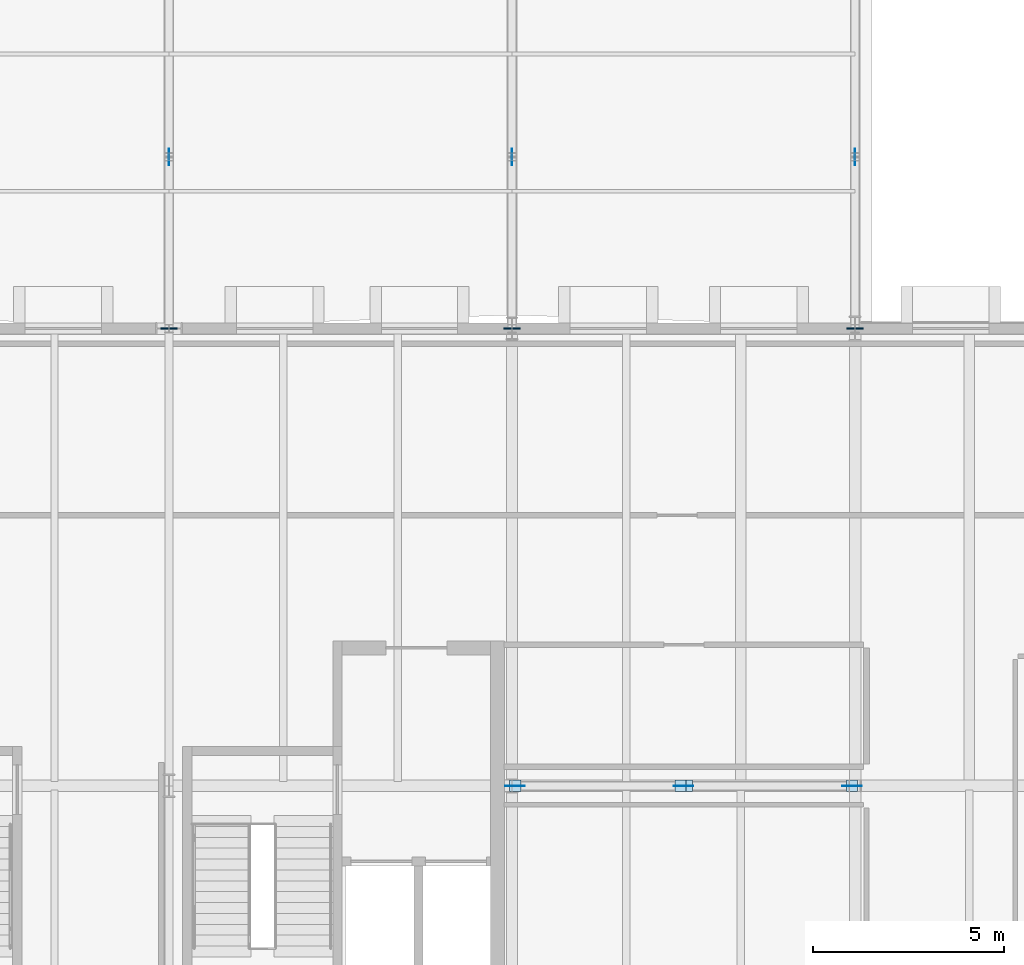
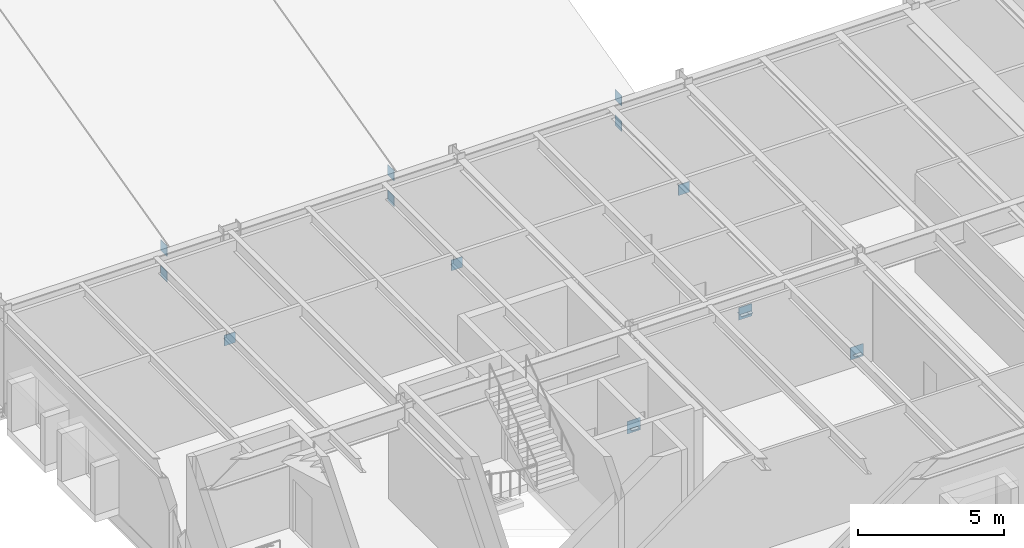
# One storey, part 47 of 67: 16 plates.
"""IFC4 building model written with IfcOpenShell, lengths in metres."""

from ifc_helpers import new_model, si_unit, direction, frame, origin, origin_2d, place, context, subcontext, project, spatial, rectangle, extrude, material, layer, layer_set, type_object, element, save


model = new_model("IFC4")

# Units and contexts
model_context = context("Model", 3, precision=1e-05, world=origin(), true_north=direction((0.0, 1.0)))
body_context = subcontext(model_context, "Body", "Model", "MODEL_VIEW")
ifc_project = project(units=[si_unit("LENGTHUNIT", "METRE"), si_unit("AREAUNIT", "SQUARE_METRE"), si_unit("VOLUMEUNIT", "CUBIC_METRE"), si_unit("PLANEANGLEUNIT", "RADIAN"), si_unit("MASSUNIT", "GRAM", prefix="KILO")], contexts=[model_context])

# Site, building, storey
site_placement = place(None, origin())
site = spatial("IfcSite", under=ifc_project, at=site_placement, CompositionType="ELEMENT")
building_placement = place(site_placement, origin())
building = spatial("IfcBuilding", under=site, at=building_placement, Name="Montelvaro Courts of Justice", CompositionType="ELEMENT")
storey_placement = place(building_placement, frame((0.0, 0.0, 18.89990234375)))
storey = spatial("IfcBuildingStorey", under=building, at=storey_placement, Name="L04", CompositionType="ELEMENT", Elevation=18.89990234375)

# Plates
ifc_material = material(Name="Steel S355", Category="steel")
ifc_layer_1 = layer(ifc_material, 0.011962890625)
ifc_layer_set_1 = layer_set([ifc_layer_1], Name="Steel S355")
plate_type_1 = type_object("IfcPlateType", Name="EndCapPlate_12", PredefinedType="USERDEFINED", material=ifc_layer_set_1)
for number, where, z_axis, x_axis, name in (
    (1, (63.080078125, 12.0, 0.07421875), (0.0, 0.0, 1.0), (1.0, 0.0, 0.0), "Brace End Cap Plate CP-01 CBF1-L04-1A"),
    (2, (67.419921875, 12.0, 3.333984375), (0.0, 0.0, 1.0), (1.0, 0.0, 0.0), "Brace End Cap Plate CP-01 CBF1-L04-1B"),
    (3, (71.919921875, 12.0, 0.07421875), (0.0, 0.0, 1.0), (1.0, 0.0, 0.0), "Brace End Cap Plate CP-01 CBF1-L04-2A"),
    (4, (67.580078125, 12.0, 3.333984375), (0.0, 0.0, 1.0), (1.0, 0.0, 0.0), "Brace End Cap Plate CP-01 CBF1-L04-2B"),
):
    element("IfcPlate", number, at=place(storey_placement, frame(where, z_axis=z_axis, x_axis=x_axis)), inside=storey, type_object=plate_type_1, Name=name, ObjectType="GUSSET PLATE", PredefinedType="USERDEFINED", context=body_context, shape_type="SweptSolid", body=[
        extrude(rectangle(XDim=0.300048828125, YDim=0.300048828125, at=origin_2d()), origin(), (0.0, 0.0, 1.0), 0.011962890625),
    ])
ifc_layer_2 = layer(ifc_material, 0.035888671875)
ifc_layer_set_2 = layer_set([ifc_layer_2], Name="Steel S355")
plate_type_2 = type_object("IfcPlateType", Name="EndCapPlate_36", PredefinedType="USERDEFINED", material=ifc_layer_set_2)
for number, where, z_axis, x_axis, name in (
    (5, (54.0, 24.0, -0.519775390625), (0.0, 0.0, 1.0), (1.0, 0.0, 0.0), "Roof Truss End Cap Plate CP-02 ROOF-V3-VTR05-B0"),
    (6, (63.0, 24.0, -0.519775390625), (0.0, 0.0, 1.0), (1.0, 0.0, 0.0), "Roof Truss End Cap Plate CP-02 ROOF-V3-VTR06-B0"),
    (7, (72.0, 24.0, -0.519775390625), (0.0, 0.0, 1.0), (1.0, 0.0, 0.0), "Roof Truss End Cap Plate CP-02 ROOF-V3-VTR07-B0"),
):
    element("IfcPlate", number, at=place(storey_placement, frame(where, z_axis=z_axis, x_axis=x_axis)), inside=storey, type_object=plate_type_2, Name=name, ObjectType="GUSSET PLATE", PredefinedType="USERDEFINED", context=body_context, shape_type="SweptSolid", body=[
        extrude(rectangle(XDim=0.43994140625, YDim=0.035888671875, at=origin_2d()), origin(), (0.0, 0.0, 1.0), 0.43994140625),
    ])
ifc_layer_3 = layer(ifc_material, 0.02001953125)
ifc_layer_set_3 = layer_set([ifc_layer_3], Name="Steel S355")
plate_type_3 = type_object("IfcPlateType", Name="GussetPlate_20", PredefinedType="USERDEFINED", material=ifc_layer_set_3)
for number, where, z_axis, x_axis, name in (
    (8, (63.080078125, 12.0, -0.099853515625), (0.0, 0.0, 1.0), (1.0, 0.0, 0.0), "Chevron Brace Base Gusset Plate GP-01 CBF1-L04-B1"),
    (9, (71.919921875, 12.0, -0.099853515625), (0.0, 0.0, 1.0), (1.0, 0.0, 0.0), "Chevron Brace Base Gusset Plate GP-01 CBF1-L04-B2"),
    (10, (67.5, 12.0, 3.1201171875), (0.0, 0.0, 1.0), (1.0, 0.0, 0.0), "Chevron Brace Gusset Plate GP-01 CBF1-L04"),
):
    element("IfcPlate", number, at=place(storey_placement, frame(where, z_axis=z_axis, x_axis=x_axis)), inside=storey, type_object=plate_type_3, Name=name, ObjectType="GUSSET PLATE", PredefinedType="USERDEFINED", context=body_context, shape_type="SweptSolid", body=[
        extrude(rectangle(XDim=0.52001953125, YDim=0.02001953125, at=origin_2d()), origin(), (0.0, 0.0, 1.0), 0.52001953125),
    ])
for number, where, z_axis, x_axis, name in (
    (11, (54.0, 28.5, -0.519775390625), (0.0, 0.0, 1.0), (1.0, 0.0, 0.0), "Roof Truss Gusset Plate GP-01 ROOF-V3-VTR05-1B"),
    (12, (54.0, 28.5, 0.55517578125), (0.0, 0.0, 1.0), (1.0, 0.0, 0.0), "Roof Truss Gusset Plate GP-01 ROOF-V3-VTR05-1T"),
    (13, (63.0, 28.5, -0.519775390625), (0.0, 0.0, 1.0), (1.0, 0.0, 0.0), "Roof Truss Gusset Plate GP-01 ROOF-V3-VTR06-1B"),
    (14, (63.0, 28.5, 0.55517578125), (0.0, 0.0, 1.0), (1.0, 0.0, 0.0), "Roof Truss Gusset Plate GP-01 ROOF-V3-VTR06-1T"),
    (15, (72.0, 28.5, -0.519775390625), (0.0, 0.0, 1.0), (1.0, 0.0, 0.0), "Roof Truss Gusset Plate GP-01 ROOF-V3-VTR07-1B"),
    (16, (72.0, 28.5, 0.55517578125), (0.0, 0.0, 1.0), (1.0, 0.0, 0.0), "Roof Truss Gusset Plate GP-01 ROOF-V3-VTR07-1T"),
):
    element("IfcPlate", number, at=place(storey_placement, frame(where, z_axis=z_axis, x_axis=x_axis)), inside=storey, type_object=plate_type_3, Name=name, ObjectType="GUSSET PLATE", PredefinedType="USERDEFINED", context=body_context, shape_type="SweptSolid", body=[
        extrude(rectangle(XDim=0.02001953125, YDim=0.43994140625, at=origin_2d()), origin(), (0.0, 0.0, 1.0), 0.43994140625),
    ])

save(model, "model.ifc")
